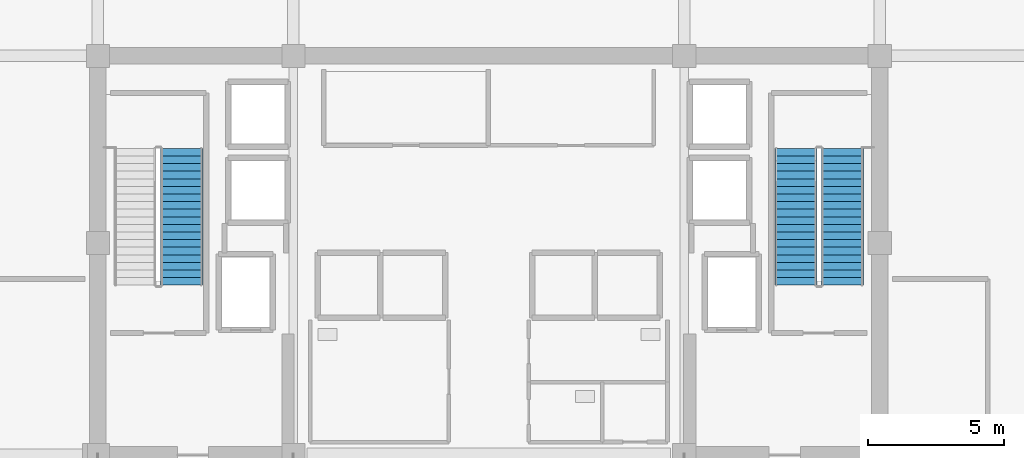
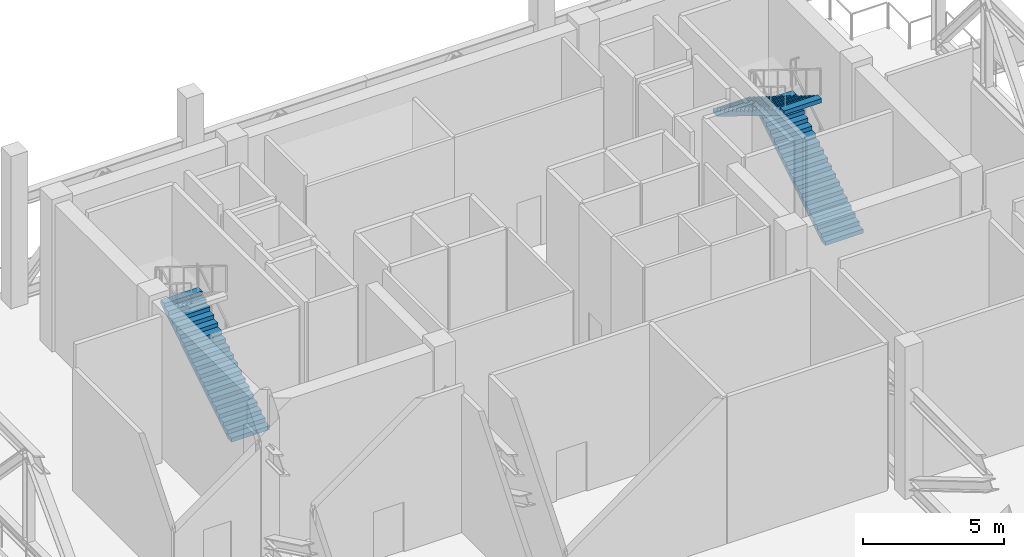
# One storey, part 6 of 11: 3 stair flights, 2 elements without a shape of their own.
"""IFC4 building model written with IfcOpenShell, lengths in metres."""

from ifc_helpers import new_model, si_unit, direction, frame, origin, place, context, subcontext, project, spatial, polyline, outline, extrude, material, type_object, element, aggregate, save


model = new_model("IFC4")

# Units and contexts
model_context = context("Model", 3, precision=1e-05, world=origin(), true_north=direction((0.0, 1.0)))
body_context = subcontext(model_context, "Body", "Model", "MODEL_VIEW")
ifc_project = project(units=[si_unit("LENGTHUNIT", "METRE"), si_unit("AREAUNIT", "SQUARE_METRE"), si_unit("VOLUMEUNIT", "CUBIC_METRE"), si_unit("PLANEANGLEUNIT", "RADIAN"), si_unit("MASSUNIT", "GRAM", prefix="KILO")], contexts=[model_context])

# Site, building, storey
site_placement = place(None, origin())
site = spatial("IfcSite", under=ifc_project, at=site_placement, CompositionType="ELEMENT")
building_placement = place(site_placement, origin())
building = spatial("IfcBuilding", under=site, at=building_placement, Name="Zarnakvel Exchange Tower", CompositionType="ELEMENT")
storey_placement = place(building_placement, frame((0.0, 0.0, 199.0)))
storey = spatial("IfcBuildingStorey", under=building, at=storey_placement, Name="L56", CompositionType="ELEMENT", Elevation=199.0)

# Stair, stair flight
ifc_material = material(Name="Concrete C40/50", Category="concrete")
stair_type = type_object("IfcStairType", Name="STR-01", PredefinedType="HALF_TURN_STAIR", material=ifc_material)
stair_1_placement = place(storey_placement, origin())
stair_1 = element("IfcStair", 1, at=stair_1_placement, inside=storey, type_object=stair_type, Name="L56 Protected Core Exit Stair ST-01", PredefinedType="HALF_TURN_STAIR")
stair_flight_type = type_object("IfcStairFlightType", Name="FLT-01", PredefinedType="STRAIGHT", material=ifc_material)
stair_flight_1_placement = place(storey_placement, frame((-11.31494140625, 5.050048828125, 0.0), z_axis=(0.0, 0.0, 1.0), x_axis=(0.0, 1.0, 0.0)))
stair_flight_1 = element("IfcStairFlight", 2, at=stair_flight_1_placement, type_object=stair_flight_type, Name="ST-01 flight 1", NumberOfRisers=19, NumberOfTreads=18, PredefinedType="STRAIGHT", RiserHeight=0.173684211, TreadLength=0.28, context=body_context, shape_type="SweptSolid", body=[
    extrude(outline(polyline([(0.0, 0.0), (0.0, 0.173583984375), (0.280029296875, 0.173583984375), (0.280029296875, 0.347412109375), (0.56005859375, 0.347412109375), (0.56005859375, 0.52099609375), (0.840087890625, 0.52099609375), (0.840087890625, 0.69482421875), (1.1201171875, 0.69482421875), (1.1201171875, 0.868408203125), (1.39990234375, 0.868408203125), (1.39990234375, 1.0419921875), (1.679931640625, 1.0419921875), (1.679931640625, 1.2158203125), (1.9599609375, 1.2158203125), (1.9599609375, 1.389404296875), (2.239990234375, 1.389404296875), (2.239990234375, 1.563232421875), (2.52001953125, 1.563232421875), (2.52001953125, 1.73681640625), (2.800048828125, 1.73681640625), (2.800048828125, 1.91064453125), (3.080078125, 1.91064453125), (3.080078125, 2.084228515625), (3.360107421875, 2.084228515625), (3.360107421875, 2.2578125), (3.639892578125, 2.2578125), (3.639892578125, 2.431640625), (3.919921875, 2.431640625), (3.919921875, 2.605224609375), (4.199951171875, 2.605224609375), (4.199951171875, 2.779052734375), (4.47998046875, 2.779052734375), (4.47998046875, 2.95263671875), (4.760009765625, 2.95263671875), (4.760009765625, 3.126220703125), (5.0400390625, 3.126220703125), (5.0400390625, 3.300048828125), (5.0400390625, 2.949951171875), (0.284423828125, 0.0), (0.0, 0.0)])), frame((0.0, 0.77490234375, 0.0), z_axis=(0.0, -1.0, 0.0), x_axis=(1.0, 0.0, 0.0)), (0.0, 0.0, 1.0), 1.550048828125),
])
aggregate(stair_1, [stair_flight_1])

# Stair, stair flights
stair_2_placement = place(storey_placement, origin())
stair_2 = element("IfcStair", 3, at=stair_2_placement, inside=storey, type_object=stair_type, Name="L56 Protected Core Exit Stair ST-02", PredefinedType="HALF_TURN_STAIR")
stair_flight_2_placement = place(storey_placement, frame((13.02490234375, 5.050048828125, 0.0), z_axis=(0.0, 0.0, 1.0), x_axis=(0.0, 1.0, 0.0)))
stair_flight_2 = element("IfcStairFlight", 4, at=stair_flight_2_placement, type_object=stair_flight_type, Name="ST-02 flight 1", NumberOfRisers=19, NumberOfTreads=18, PredefinedType="STRAIGHT", RiserHeight=0.173684211, TreadLength=0.28, context=body_context, shape_type="SweptSolid", body=[
    extrude(outline(polyline([(0.0, 0.0), (0.0, 0.173583984375), (0.280029296875, 0.173583984375), (0.280029296875, 0.347412109375), (0.56005859375, 0.347412109375), (0.56005859375, 0.52099609375), (0.840087890625, 0.52099609375), (0.840087890625, 0.69482421875), (1.1201171875, 0.69482421875), (1.1201171875, 0.868408203125), (1.39990234375, 0.868408203125), (1.39990234375, 1.0419921875), (1.679931640625, 1.0419921875), (1.679931640625, 1.2158203125), (1.9599609375, 1.2158203125), (1.9599609375, 1.389404296875), (2.239990234375, 1.389404296875), (2.239990234375, 1.563232421875), (2.52001953125, 1.563232421875), (2.52001953125, 1.73681640625), (2.800048828125, 1.73681640625), (2.800048828125, 1.91064453125), (3.080078125, 1.91064453125), (3.080078125, 2.084228515625), (3.360107421875, 2.084228515625), (3.360107421875, 2.2578125), (3.639892578125, 2.2578125), (3.639892578125, 2.431640625), (3.919921875, 2.431640625), (3.919921875, 2.605224609375), (4.199951171875, 2.605224609375), (4.199951171875, 2.779052734375), (4.47998046875, 2.779052734375), (4.47998046875, 2.95263671875), (4.760009765625, 2.95263671875), (4.760009765625, 3.126220703125), (5.0400390625, 3.126220703125), (5.0400390625, 3.300048828125), (5.0400390625, 2.949951171875), (0.284423828125, 0.0), (0.0, 0.0)])), frame((0.0, 0.77490234375, 0.0), z_axis=(0.0, -1.0, 0.0), x_axis=(1.0, 0.0, 0.0)), (0.0, 0.0, 1.0), 1.550048828125),
])
stair_flight_3_placement = place(storey_placement, frame((11.31494140625, 10.090087890625, 3.300048828125), z_axis=(0.0, 0.0, 1.0), x_axis=(0.0, -1.0, 0.0)))
stair_flight_3 = element("IfcStairFlight", 5, at=stair_flight_3_placement, type_object=stair_flight_type, Name="ST-02 flight 2", NumberOfRisers=19, NumberOfTreads=18, PredefinedType="STRAIGHT", RiserHeight=0.173684211, TreadLength=0.28, context=body_context, shape_type="SweptSolid", body=[
    extrude(outline(polyline([(0.0, 0.0), (0.0, 0.173583984375), (0.280029296875, 0.173583984375), (0.280029296875, 0.347412109375), (0.56005859375, 0.347412109375), (0.56005859375, 0.52099609375), (0.840087890625, 0.52099609375), (0.840087890625, 0.69482421875), (1.1201171875, 0.69482421875), (1.1201171875, 0.868408203125), (1.39990234375, 0.868408203125), (1.39990234375, 1.0419921875), (1.679931640625, 1.0419921875), (1.679931640625, 1.2158203125), (1.9599609375, 1.2158203125), (1.9599609375, 1.389404296875), (2.239990234375, 1.389404296875), (2.239990234375, 1.563232421875), (2.52001953125, 1.563232421875), (2.52001953125, 1.73681640625), (2.800048828125, 1.73681640625), (2.800048828125, 1.91064453125), (3.080078125, 1.91064453125), (3.080078125, 2.084228515625), (3.360107421875, 2.084228515625), (3.360107421875, 2.2578125), (3.639892578125, 2.2578125), (3.639892578125, 2.431640625), (3.919921875, 2.431640625), (3.919921875, 2.605224609375), (4.199951171875, 2.605224609375), (4.199951171875, 2.779052734375), (4.47998046875, 2.779052734375), (4.47998046875, 2.95263671875), (4.760009765625, 2.95263671875), (4.760009765625, 3.126220703125), (5.0400390625, 3.126220703125), (5.0400390625, 3.300048828125), (5.0400390625, 2.949951171875), (0.284423828125, 0.0), (0.0, 0.0)])), frame((0.0, 0.77490234375, 0.0), z_axis=(0.0, -1.0, 0.0), x_axis=(1.0, 0.0, 0.0)), (0.0, 0.0, 1.0), 1.550048828125),
])
aggregate(stair_2, [stair_flight_2, stair_flight_3])

save(model, "model.ifc")
